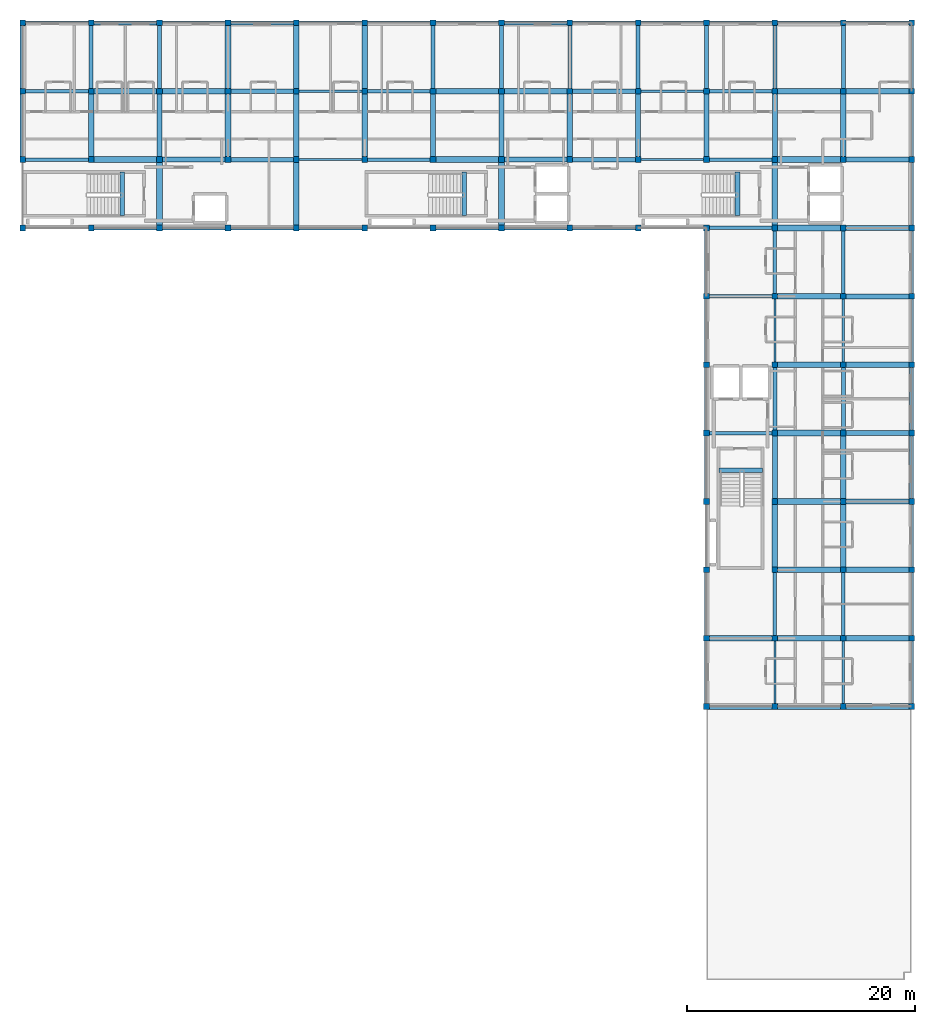
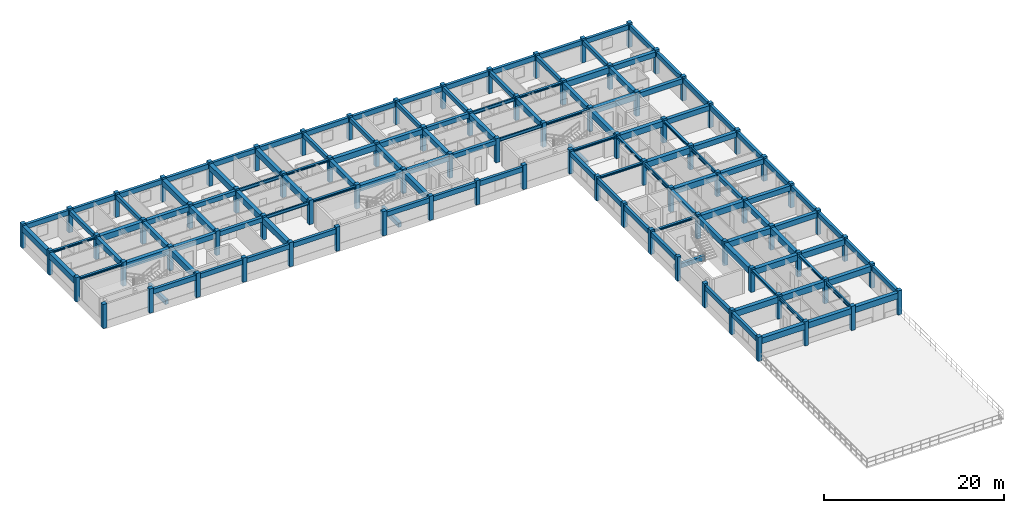
# One storey, part 1 of 14: 131 beams, 84 columns.
"""IFC4 building model written with IfcOpenShell, lengths in metres."""

from ifc_helpers import new_model, si_unit, direction, frame, origin, origin_2d, place, context, subcontext, project, spatial, rectangle, i_section, extrude, material, material_profile, profile_set, type_object, element, save


model = new_model("IFC4")

# Units and contexts
model_context = context("Model", 3, precision=1e-05, world=origin(), true_north=direction((0.0, 1.0)))
body_context = subcontext(model_context, "Body", "Model", "MODEL_VIEW")
ifc_project = project(units=[si_unit("LENGTHUNIT", "METRE"), si_unit("AREAUNIT", "SQUARE_METRE"), si_unit("VOLUMEUNIT", "CUBIC_METRE"), si_unit("PLANEANGLEUNIT", "RADIAN"), si_unit("MASSUNIT", "GRAM", prefix="KILO"), si_unit("THERMODYNAMICTEMPERATUREUNIT", "KELVIN"), si_unit("POWERUNIT", "WATT")], contexts=[model_context])

# Site, building, storey
site_placement = place(None, origin())
site = spatial("IfcSite", under=ifc_project, at=site_placement, CompositionType="ELEMENT")
building_placement = place(site_placement, origin())
building = spatial("IfcBuilding", under=site, at=building_placement, Name="Phaisarnlok Congress Hotel", CompositionType="ELEMENT")
storey_placement = place(building_placement, frame((0.0, 0.0, 44.699951171875)))
storey = spatial("IfcBuildingStorey", under=building, at=storey_placement, Name="L11", CompositionType="ELEMENT", Elevation=44.699951171875)

# Columns
ifc_material_1 = material(Name="Concrete C50/60", Category="concrete")
ifc_material_profile_1 = material_profile(ifc_material_1, rectangle(XDim=0.5, YDim=0.5, at=origin_2d()), Name="RC 500x500")
ifc_profile_set_1 = profile_set([ifc_material_profile_1], Name="Concrete C50/60")
column_type_1 = type_object("IfcColumnType", Name="COL-RC-500", PredefinedType="COLUMN", material=ifc_profile_set_1)
for number, where, z_axis, x_axis, name in (
    (1, (102.0, 108.0, 0.0), (0.0, 0.0, 1.0), (1.0, 0.0, 0.0), "Column C-01 (L11)"),
    (2, (102.0, 114.0, 0.0), (0.0, 0.0, 1.0), (1.0, 0.0, 0.0), "Column C-01 (L11)"),
    (3, (102.0, 120.0, 0.0), (0.0, 0.0, 1.0), (1.0, 0.0, 0.0), "Column C-01 (L11)"),
    (4, (108.0, 108.0, 0.0), (0.0, 0.0, 1.0), (1.0, 0.0, 0.0), "Column C-01 (L11)"),
    (5, (108.0, 114.0, 0.0), (0.0, 0.0, 1.0), (1.0, 0.0, 0.0), "Column C-01 (L11)"),
    (6, (108.0, 120.0, 0.0), (0.0, 0.0, 1.0), (1.0, 0.0, 0.0), "Column C-01 (L11)"),
    (7, (114.0, 108.0, 0.0), (0.0, 0.0, 1.0), (1.0, 0.0, 0.0), "Column C-01 (L11)"),
    (8, (114.0, 114.0, 0.0), (0.0, 0.0, 1.0), (1.0, 0.0, 0.0), "Column C-01 (L11)"),
    (9, (114.0, 120.0, 0.0), (0.0, 0.0, 1.0), (1.0, 0.0, 0.0), "Column C-01 (L11)"),
    (10, (120.0, 108.0, 0.0), (0.0, 0.0, 1.0), (1.0, 0.0, 0.0), "Column C-01 (L11)"),
    (11, (120.0, 114.0, 0.0), (0.0, 0.0, 1.0), (1.0, 0.0, 0.0), "Column C-01 (L11)"),
    (12, (120.0, 120.0, 0.0), (0.0, 0.0, 1.0), (1.0, 0.0, 0.0), "Column C-01 (L11)"),
    (13, (126.0, 108.0, 0.0), (0.0, 0.0, 1.0), (1.0, 0.0, 0.0), "Column C-01 (L11)"),
    (14, (126.0, 114.0, 0.0), (0.0, 0.0, 1.0), (1.0, 0.0, 0.0), "Column C-01 (L11)"),
    (15, (126.0, 120.0, 0.0), (0.0, 0.0, 1.0), (1.0, 0.0, 0.0), "Column C-01 (L11)"),
    (16, (132.0, 108.0, 0.0), (0.0, 0.0, 1.0), (1.0, 0.0, 0.0), "Column C-01 (L11)"),
    (17, (132.0, 114.0, 0.0), (0.0, 0.0, 1.0), (1.0, 0.0, 0.0), "Column C-01 (L11)"),
    (18, (132.0, 120.0, 0.0), (0.0, 0.0, 1.0), (1.0, 0.0, 0.0), "Column C-01 (L11)"),
    (19, (138.0, 108.0, 0.0), (0.0, 0.0, 1.0), (1.0, 0.0, 0.0), "Column C-01 (L11)"),
    (20, (138.0, 114.0, 0.0), (0.0, 0.0, 1.0), (1.0, 0.0, 0.0), "Column C-01 (L11)"),
    (21, (138.0, 120.0, 0.0), (0.0, 0.0, 1.0), (1.0, 0.0, 0.0), "Column C-01 (L11)"),
    (22, (144.0, 108.0, 0.0), (0.0, 0.0, 1.0), (1.0, 0.0, 0.0), "Column C-01 (L11)"),
    (23, (144.0, 114.0, 0.0), (0.0, 0.0, 1.0), (1.0, 0.0, 0.0), "Column C-01 (L11)"),
    (24, (144.0, 120.0, 0.0), (0.0, 0.0, 1.0), (1.0, 0.0, 0.0), "Column C-01 (L11)"),
    (25, (150.0, 108.0, 0.0), (0.0, 0.0, 1.0), (1.0, 0.0, 0.0), "Column C-01 (L11)"),
    (26, (150.0, 114.0, 0.0), (0.0, 0.0, 1.0), (1.0, 0.0, 0.0), "Column C-01 (L11)"),
    (27, (150.0, 120.0, 0.0), (0.0, 0.0, 1.0), (1.0, 0.0, 0.0), "Column C-01 (L11)"),
    (28, (156.0, 108.0, 0.0), (0.0, 0.0, 1.0), (1.0, 0.0, 0.0), "Column C-01 (L11)"),
    (29, (156.0, 114.0, 0.0), (0.0, 0.0, 1.0), (1.0, 0.0, 0.0), "Column C-01 (L11)"),
    (30, (156.0, 120.0, 0.0), (0.0, 0.0, 1.0), (1.0, 0.0, 0.0), "Column C-01 (L11)"),
    (31, (162.0, 66.0, 0.0), (0.0, 0.0, 1.0), (1.0, 0.0, 0.0), "Column C-01 (L11)"),
    (32, (162.0, 72.0, 0.0), (0.0, 0.0, 1.0), (1.0, 0.0, 0.0), "Column C-01 (L11)"),
    (33, (162.0, 78.0, 0.0), (0.0, 0.0, 1.0), (1.0, 0.0, 0.0), "Column C-01 (L11)"),
    (34, (162.0, 84.0, 0.0), (0.0, 0.0, 1.0), (1.0, 0.0, 0.0), "Column C-01 (L11)"),
    (35, (162.0, 90.0, 0.0), (0.0, 0.0, 1.0), (1.0, 0.0, 0.0), "Column C-01 (L11)"),
    (36, (162.0, 96.0, 0.0), (0.0, 0.0, 1.0), (1.0, 0.0, 0.0), "Column C-01 (L11)"),
    (37, (162.0, 102.0, 0.0), (0.0, 0.0, 1.0), (1.0, 0.0, 0.0), "Column C-01 (L11)"),
    (38, (162.0, 108.0, 0.0), (0.0, 0.0, 1.0), (1.0, 0.0, 0.0), "Column C-01 (L11)"),
    (39, (162.0, 114.0, 0.0), (0.0, 0.0, 1.0), (1.0, 0.0, 0.0), "Column C-01 (L11)"),
    (40, (162.0, 120.0, 0.0), (0.0, 0.0, 1.0), (1.0, 0.0, 0.0), "Column C-01 (L11)"),
    (41, (168.0, 66.0, 0.0), (0.0, 0.0, 1.0), (1.0, 0.0, 0.0), "Column C-01 (L11)"),
    (42, (168.0, 72.0, 0.0), (0.0, 0.0, 1.0), (1.0, 0.0, 0.0), "Column C-01 (L11)"),
    (43, (168.0, 78.0, 0.0), (0.0, 0.0, 1.0), (1.0, 0.0, 0.0), "Column C-01 (L11)"),
    (44, (168.0, 84.0, 0.0), (0.0, 0.0, 1.0), (1.0, 0.0, 0.0), "Column C-01 (L11)"),
    (45, (168.0, 90.0, 0.0), (0.0, 0.0, 1.0), (1.0, 0.0, 0.0), "Column C-01 (L11)"),
    (46, (168.0, 96.0, 0.0), (0.0, 0.0, 1.0), (1.0, 0.0, 0.0), "Column C-01 (L11)"),
    (47, (168.0, 102.0, 0.0), (0.0, 0.0, 1.0), (1.0, 0.0, 0.0), "Column C-01 (L11)"),
    (48, (168.0, 108.0, 0.0), (0.0, 0.0, 1.0), (1.0, 0.0, 0.0), "Column C-01 (L11)"),
    (49, (168.0, 114.0, 0.0), (0.0, 0.0, 1.0), (1.0, 0.0, 0.0), "Column C-01 (L11)"),
    (50, (168.0, 120.0, 0.0), (0.0, 0.0, 1.0), (1.0, 0.0, 0.0), "Column C-01 (L11)"),
    (51, (174.0, 66.0, 0.0), (0.0, 0.0, 1.0), (1.0, 0.0, 0.0), "Column C-01 (L11)"),
    (52, (174.0, 72.0, 0.0), (0.0, 0.0, 1.0), (1.0, 0.0, 0.0), "Column C-01 (L11)"),
    (53, (174.0, 78.0, 0.0), (0.0, 0.0, 1.0), (1.0, 0.0, 0.0), "Column C-01 (L11)"),
    (54, (174.0, 84.0, 0.0), (0.0, 0.0, 1.0), (1.0, 0.0, 0.0), "Column C-01 (L11)"),
    (55, (174.0, 90.0, 0.0), (0.0, 0.0, 1.0), (1.0, 0.0, 0.0), "Column C-01 (L11)"),
    (56, (174.0, 96.0, 0.0), (0.0, 0.0, 1.0), (1.0, 0.0, 0.0), "Column C-01 (L11)"),
    (57, (174.0, 102.0, 0.0), (0.0, 0.0, 1.0), (1.0, 0.0, 0.0), "Column C-01 (L11)"),
    (58, (174.0, 108.0, 0.0), (0.0, 0.0, 1.0), (1.0, 0.0, 0.0), "Column C-01 (L11)"),
    (59, (174.0, 114.0, 0.0), (0.0, 0.0, 1.0), (1.0, 0.0, 0.0), "Column C-01 (L11)"),
    (60, (174.0, 120.0, 0.0), (0.0, 0.0, 1.0), (1.0, 0.0, 0.0), "Column C-01 (L11)"),
):
    element("IfcColumn", number, at=place(storey_placement, frame(where, z_axis=z_axis, x_axis=x_axis)), inside=storey, type_object=column_type_1, Name=name, PredefinedType="COLUMN", context=body_context, shape_type="SweptSolid", body=[
        extrude(rectangle(XDim=0.5, YDim=0.5, at=origin_2d()), origin(), (0.0, 0.0, 1.0), 3.300048828125),
    ])
ifc_material_profile_2 = material_profile(ifc_material_1, rectangle(XDim=0.5, YDim=0.5, at=origin_2d()), Name="RC 500x500")
ifc_profile_set_2 = profile_set([ifc_material_profile_2], Name="Concrete C50/60")
column_type_2 = type_object("IfcColumnType", Name="COL-RC-500-EXT", PredefinedType="COLUMN", material=ifc_profile_set_2)
for number, where, z_axis, x_axis, name in (
    (61, (102.0, 126.0, 0.0), (0.0, 0.0, 1.0), (1.0, 0.0, 0.0), "Column C-01E (L11)"),
    (62, (108.0, 126.0, 0.0), (0.0, 0.0, 1.0), (1.0, 0.0, 0.0), "Column C-01E (L11)"),
    (63, (114.0, 126.0, 0.0), (0.0, 0.0, 1.0), (1.0, 0.0, 0.0), "Column C-01E (L11)"),
    (64, (120.0, 126.0, 0.0), (0.0, 0.0, 1.0), (1.0, 0.0, 0.0), "Column C-01E (L11)"),
    (65, (126.0, 126.0, 0.0), (0.0, 0.0, 1.0), (1.0, 0.0, 0.0), "Column C-01E (L11)"),
    (66, (132.0, 126.0, 0.0), (0.0, 0.0, 1.0), (1.0, 0.0, 0.0), "Column C-01E (L11)"),
    (67, (138.0, 126.0, 0.0), (0.0, 0.0, 1.0), (1.0, 0.0, 0.0), "Column C-01E (L11)"),
    (68, (144.0, 126.0, 0.0), (0.0, 0.0, 1.0), (1.0, 0.0, 0.0), "Column C-01E (L11)"),
    (69, (150.0, 126.0, 0.0), (0.0, 0.0, 1.0), (1.0, 0.0, 0.0), "Column C-01E (L11)"),
    (70, (156.0, 126.0, 0.0), (0.0, 0.0, 1.0), (1.0, 0.0, 0.0), "Column C-01E (L11)"),
    (71, (162.0, 126.0, 0.0), (0.0, 0.0, 1.0), (1.0, 0.0, 0.0), "Column C-01E (L11)"),
    (72, (168.0, 126.0, 0.0), (0.0, 0.0, 1.0), (1.0, 0.0, 0.0), "Column C-01E (L11)"),
    (73, (174.0, 126.0, 0.0), (0.0, 0.0, 1.0), (1.0, 0.0, 0.0), "Column C-01E (L11)"),
    (74, (180.0, 66.0, 0.0), (0.0, 0.0, 1.0), (1.0, 0.0, 0.0), "Column C-01E (L11)"),
    (75, (180.0, 72.0, 0.0), (0.0, 0.0, 1.0), (1.0, 0.0, 0.0), "Column C-01E (L11)"),
    (76, (180.0, 78.0, 0.0), (0.0, 0.0, 1.0), (1.0, 0.0, 0.0), "Column C-01E (L11)"),
    (77, (180.0, 84.0, 0.0), (0.0, 0.0, 1.0), (1.0, 0.0, 0.0), "Column C-01E (L11)"),
    (78, (180.0, 90.0, 0.0), (0.0, 0.0, 1.0), (1.0, 0.0, 0.0), "Column C-01E (L11)"),
    (79, (180.0, 96.0, 0.0), (0.0, 0.0, 1.0), (1.0, 0.0, 0.0), "Column C-01E (L11)"),
    (80, (180.0, 102.0, 0.0), (0.0, 0.0, 1.0), (1.0, 0.0, 0.0), "Column C-01E (L11)"),
    (81, (180.0, 108.0, 0.0), (0.0, 0.0, 1.0), (1.0, 0.0, 0.0), "Column C-01E (L11)"),
    (82, (180.0, 114.0, 0.0), (0.0, 0.0, 1.0), (1.0, 0.0, 0.0), "Column C-01E (L11)"),
    (83, (180.0, 120.0, 0.0), (0.0, 0.0, 1.0), (1.0, 0.0, 0.0), "Column C-01E (L11)"),
    (84, (180.0, 126.0, 0.0), (0.0, 0.0, 1.0), (1.0, 0.0, 0.0), "Column C-01E (L11)"),
):
    element("IfcColumn", number, at=place(storey_placement, frame(where, z_axis=z_axis, x_axis=x_axis)), inside=storey, type_object=column_type_2, Name=name, PredefinedType="COLUMN", context=body_context, shape_type="SweptSolid", body=[
        extrude(rectangle(XDim=0.5, YDim=0.5, at=origin_2d()), origin(), (0.0, 0.0, 1.0), 3.300048828125),
    ])

# Beams
ifc_material_2 = material(Name="Concrete C40/50", Category="concrete")
ifc_material_profile_3 = material_profile(ifc_material_2, rectangle(XDim=0.35009765625, YDim=0.550048828125, at=origin_2d()), Name="RC 350x550")
ifc_profile_set_3 = profile_set([ifc_material_profile_3], Name="Concrete C40/50")
beam_type_1 = type_object("IfcBeamType", Name="BM-RC-350x550", PredefinedType="BEAM", material=ifc_profile_set_3)
for number, where, z_axis, x_axis, name in (
    (85, (108.0, 120.2451171875, 2.775146484375), (0.0, 1.0, 0.0), (-1.0, 0.0, 0.0), "Beam B-01"),
    (86, (114.0, 120.2451171875, 2.775146484375), (0.0, 1.0, 0.0), (-1.0, 0.0, 0.0), "Beam B-01"),
    (87, (138.0, 120.2451171875, 2.775146484375), (0.0, 1.0, 0.0), (-1.0, 0.0, 0.0), "Beam B-01"),
    (88, (144.0, 120.2451171875, 2.775146484375), (0.0, 1.0, 0.0), (-1.0, 0.0, 0.0), "Beam B-01"),
    (89, (150.0, 120.2451171875, 2.775146484375), (0.0, 1.0, 0.0), (-1.0, 0.0, 0.0), "Beam B-01"),
    (90, (156.0, 120.2451171875, 2.775146484375), (0.0, 1.0, 0.0), (-1.0, 0.0, 0.0), "Beam B-01"),
    (91, (162.0, 120.2451171875, 2.775146484375), (0.0, 1.0, 0.0), (-1.0, 0.0, 0.0), "Beam B-01"),
    (92, (168.0, 90.2451171875, 2.775146484375), (0.0, 1.0, 0.0), (-1.0, 0.0, 0.0), "Beam B-01"),
    (93, (168.0, 120.2451171875, 2.775146484375), (0.0, 1.0, 0.0), (-1.0, 0.0, 0.0), "Beam B-01"),
    (94, (174.0, 90.2451171875, 2.775146484375), (0.0, 1.0, 0.0), (-1.0, 0.0, 0.0), "Beam B-01"),
    (95, (174.0, 120.2451171875, 2.775146484375), (0.0, 1.0, 0.0), (-1.0, 0.0, 0.0), "Beam B-01"),
):
    element("IfcBeam", number, at=place(storey_placement, frame(where, z_axis=z_axis, x_axis=x_axis)), inside=storey, type_object=beam_type_1, Name=name, PredefinedType="BEAM", context=body_context, shape_type="SweptSolid", body=[
        extrude(rectangle(XDim=0.35009765625, YDim=0.550048828125, at=origin_2d()), origin(), (0.0, 0.0, 1.0), 5.509765625),
    ])
ifc_material_profile_4 = material_profile(ifc_material_2, rectangle(XDim=0.39990234375, YDim=0.60009765625, at=origin_2d()), Name="RC 400x600")
ifc_profile_set_4 = profile_set([ifc_material_profile_4], Name="Concrete C40/50")
beam_type_2 = type_object("IfcBeamType", Name="BM-RC-400x600", PredefinedType="BEAM", material=ifc_profile_set_4)
for number, where, z_axis, x_axis, name in (
    (96, (120.2451171875, 114.0, 2.75), (1.0, 0.0, 0.0), (0.0, 1.0, 0.0), "Beam B-02"),
    (97, (120.2451171875, 120.0, 2.75), (1.0, 0.0, 0.0), (0.0, 1.0, 0.0), "Beam B-02"),
    (98, (150.2451171875, 114.0, 2.75), (1.0, 0.0, 0.0), (0.0, 1.0, 0.0), "Beam B-02"),
    (99, (150.2451171875, 120.0, 2.75), (1.0, 0.0, 0.0), (0.0, 1.0, 0.0), "Beam B-02"),
):
    element("IfcBeam", number, at=place(storey_placement, frame(where, z_axis=z_axis, x_axis=x_axis)), inside=storey, type_object=beam_type_2, Name=name, PredefinedType="BEAM", context=body_context, shape_type="SweptSolid", body=[
        extrude(rectangle(XDim=0.39990234375, YDim=0.60009765625, at=origin_2d()), origin(), (0.0, 0.0, 1.0), 5.509765625),
    ])
for number, where, z_axis, x_axis, name in (
    (100, (164.719970703125, 109.080078125, -0.300048828125), (0.0, 1.0, 0.0), (-1.0, 0.0, 0.0), "Stair landing header beam B-02 (CORE-1 L11)"),
    (101, (140.719970703125, 109.080078125, -0.300048828125), (0.0, 1.0, 0.0), (-1.0, 0.0, 0.0), "Stair landing header beam B-02 (CORE-2 L11)"),
    (102, (163.080078125, 86.719970703125, -0.300048828125), (1.0, 0.0, 0.0), (0.0, 1.0, 0.0), "Stair landing header beam B-02 (CORE-3 L11)"),
    (103, (110.719970703125, 109.080078125, -0.300048828125), (0.0, 1.0, 0.0), (-1.0, 0.0, 0.0), "Stair landing header beam B-02 (CORE-4 L11)"),
):
    element("IfcBeam", number, at=place(storey_placement, frame(where, z_axis=z_axis, x_axis=x_axis)), inside=storey, type_object=beam_type_2, Name=name, PredefinedType="BEAM", context=body_context, shape_type="SweptSolid", body=[
        extrude(rectangle(XDim=0.39990234375, YDim=0.60009765625, at=origin_2d()), origin(), (0.0, 0.0, 1.0), 3.83984375),
    ])
ifc_material_profile_5 = material_profile(ifc_material_2, rectangle(XDim=0.449951171875, YDim=0.699951171875, at=origin_2d()), Name="RC 450x700")
ifc_profile_set_5 = profile_set([ifc_material_profile_5], Name="Concrete C40/50")
beam_type_3 = type_object("IfcBeamType", Name="BM-RC-450x700", PredefinedType="BEAM", material=ifc_profile_set_5)
for number, where, z_axis, x_axis, name in (
    (104, (108.0, 114.2451171875, 2.699951171875), (0.0, 1.0, 0.0), (-1.0, 0.0, 0.0), "Beam B-03"),
    (105, (114.2451171875, 114.0, 2.699951171875), (1.0, 0.0, 0.0), (0.0, 1.0, 0.0), "Beam B-03"),
    (106, (114.0, 114.2451171875, 2.699951171875), (0.0, 1.0, 0.0), (-1.0, 0.0, 0.0), "Beam B-03"),
    (107, (114.2451171875, 120.0, 2.699951171875), (1.0, 0.0, 0.0), (0.0, 1.0, 0.0), "Beam B-03"),
    (108, (138.0, 114.2451171875, 2.699951171875), (0.0, 1.0, 0.0), (-1.0, 0.0, 0.0), "Beam B-03"),
    (109, (144.2451171875, 114.0, 2.699951171875), (1.0, 0.0, 0.0), (0.0, 1.0, 0.0), "Beam B-03"),
    (110, (144.0, 114.2451171875, 2.699951171875), (0.0, 1.0, 0.0), (-1.0, 0.0, 0.0), "Beam B-03"),
    (111, (144.2451171875, 120.0, 2.699951171875), (1.0, 0.0, 0.0), (0.0, 1.0, 0.0), "Beam B-03"),
    (112, (150.0, 114.2451171875, 2.699951171875), (0.0, 1.0, 0.0), (-1.0, 0.0, 0.0), "Beam B-03"),
    (113, (156.0, 114.2451171875, 2.699951171875), (0.0, 1.0, 0.0), (-1.0, 0.0, 0.0), "Beam B-03"),
    (114, (162.0, 114.2451171875, 2.699951171875), (0.0, 1.0, 0.0), (-1.0, 0.0, 0.0), "Beam B-03"),
    (115, (168.0, 84.2451171875, 2.699951171875), (0.0, 1.0, 0.0), (-1.0, 0.0, 0.0), "Beam B-03"),
    (116, (168.0, 114.2451171875, 2.699951171875), (0.0, 1.0, 0.0), (-1.0, 0.0, 0.0), "Beam B-03"),
    (117, (174.2451171875, 84.0, 2.699951171875), (1.0, 0.0, 0.0), (0.0, 1.0, 0.0), "Beam B-03"),
    (118, (174.0, 84.2451171875, 2.699951171875), (0.0, 1.0, 0.0), (-1.0, 0.0, 0.0), "Beam B-03"),
    (119, (174.2451171875, 90.0, 2.699951171875), (1.0, 0.0, 0.0), (0.0, 1.0, 0.0), "Beam B-03"),
    (120, (174.2451171875, 96.0, 2.699951171875), (1.0, 0.0, 0.0), (0.0, 1.0, 0.0), "Beam B-03"),
    (121, (174.2451171875, 102.0, 2.699951171875), (1.0, 0.0, 0.0), (0.0, 1.0, 0.0), "Beam B-03"),
    (122, (174.2451171875, 108.0, 2.699951171875), (1.0, 0.0, 0.0), (0.0, 1.0, 0.0), "Beam B-03"),
    (123, (174.2451171875, 114.0, 2.699951171875), (1.0, 0.0, 0.0), (0.0, 1.0, 0.0), "Beam B-03"),
    (124, (174.0, 114.2451171875, 2.699951171875), (0.0, 1.0, 0.0), (-1.0, 0.0, 0.0), "Beam B-03"),
    (125, (174.2451171875, 120.0, 2.699951171875), (1.0, 0.0, 0.0), (0.0, 1.0, 0.0), "Beam B-03"),
):
    element("IfcBeam", number, at=place(storey_placement, frame(where, z_axis=z_axis, x_axis=x_axis)), inside=storey, type_object=beam_type_3, Name=name, PredefinedType="BEAM", context=body_context, shape_type="SweptSolid", body=[
        extrude(rectangle(XDim=0.449951171875, YDim=0.699951171875, at=origin_2d()), origin(), (0.0, 0.0, 1.0), 5.509765625),
    ])
ifc_material_profile_6 = material_profile(ifc_material_2, rectangle(XDim=0.5, YDim=0.800048828125, at=origin_2d()), Name="RC 500x800")
ifc_profile_set_6 = profile_set([ifc_material_profile_6], Name="Concrete C40/50")
beam_type_4 = type_object("IfcBeamType", Name="BM-RC-500x800", PredefinedType="BEAM", material=ifc_profile_set_6)
for number, where, z_axis, x_axis, name in (
    (126, (108.2451171875, 114.0, 2.650146484375), (1.0, 0.0, 0.0), (0.0, 1.0, 0.0), "Beam B-04"),
    (127, (108.2451171875, 120.0, 2.650146484375), (1.0, 0.0, 0.0), (0.0, 1.0, 0.0), "Beam B-04"),
    (128, (114.0, 108.2451171875, 2.650146484375), (0.0, 1.0, 0.0), (-1.0, 0.0, 0.0), "Beam B-04"),
    (129, (120.0, 114.2451171875, 2.650146484375), (0.0, 1.0, 0.0), (-1.0, 0.0, 0.0), "Beam B-04"),
    (130, (120.0, 120.2451171875, 2.650146484375), (0.0, 1.0, 0.0), (-1.0, 0.0, 0.0), "Beam B-04"),
    (131, (126.0, 108.2451171875, 2.650146484375), (0.0, 1.0, 0.0), (-1.0, 0.0, 0.0), "Beam B-04"),
    (132, (126.0, 114.2451171875, 2.650146484375), (0.0, 1.0, 0.0), (-1.0, 0.0, 0.0), "Beam B-04"),
    (133, (126.0, 120.2451171875, 2.650146484375), (0.0, 1.0, 0.0), (-1.0, 0.0, 0.0), "Beam B-04"),
    (134, (132.0, 114.2451171875, 2.650146484375), (0.0, 1.0, 0.0), (-1.0, 0.0, 0.0), "Beam B-04"),
    (135, (132.0, 120.2451171875, 2.650146484375), (0.0, 1.0, 0.0), (-1.0, 0.0, 0.0), "Beam B-04"),
    (136, (138.2451171875, 114.0, 2.650146484375), (1.0, 0.0, 0.0), (0.0, 1.0, 0.0), "Beam B-04"),
    (137, (138.2451171875, 120.0, 2.650146484375), (1.0, 0.0, 0.0), (0.0, 1.0, 0.0), "Beam B-04"),
    (138, (144.0, 108.2451171875, 2.650146484375), (0.0, 1.0, 0.0), (-1.0, 0.0, 0.0), "Beam B-04"),
    (139, (162.2451171875, 72.0, 2.650146484375), (1.0, 0.0, 0.0), (0.0, 1.0, 0.0), "Beam B-04"),
    (140, (168.2451171875, 72.0, 2.650146484375), (1.0, 0.0, 0.0), (0.0, 1.0, 0.0), "Beam B-04"),
    (141, (168.2451171875, 78.0, 2.650146484375), (1.0, 0.0, 0.0), (0.0, 1.0, 0.0), "Beam B-04"),
    (142, (168.0, 78.2451171875, 2.650146484375), (0.0, 1.0, 0.0), (-1.0, 0.0, 0.0), "Beam B-04"),
    (143, (168.2451171875, 84.0, 2.650146484375), (1.0, 0.0, 0.0), (0.0, 1.0, 0.0), "Beam B-04"),
    (144, (168.2451171875, 90.0, 2.650146484375), (1.0, 0.0, 0.0), (0.0, 1.0, 0.0), "Beam B-04"),
    (145, (168.2451171875, 96.0, 2.650146484375), (1.0, 0.0, 0.0), (0.0, 1.0, 0.0), "Beam B-04"),
    (146, (168.2451171875, 102.0, 2.650146484375), (1.0, 0.0, 0.0), (0.0, 1.0, 0.0), "Beam B-04"),
    (147, (168.2451171875, 108.0, 2.650146484375), (1.0, 0.0, 0.0), (0.0, 1.0, 0.0), "Beam B-04"),
    (148, (168.0, 108.2451171875, 2.650146484375), (0.0, 1.0, 0.0), (-1.0, 0.0, 0.0), "Beam B-04"),
    (149, (168.2451171875, 114.0, 2.650146484375), (1.0, 0.0, 0.0), (0.0, 1.0, 0.0), "Beam B-04"),
    (150, (168.2451171875, 120.0, 2.650146484375), (1.0, 0.0, 0.0), (0.0, 1.0, 0.0), "Beam B-04"),
    (151, (174.2451171875, 72.0, 2.650146484375), (1.0, 0.0, 0.0), (0.0, 1.0, 0.0), "Beam B-04"),
    (152, (174.2451171875, 78.0, 2.650146484375), (1.0, 0.0, 0.0), (0.0, 1.0, 0.0), "Beam B-04"),
    (153, (174.0, 78.2451171875, 2.650146484375), (0.0, 1.0, 0.0), (-1.0, 0.0, 0.0), "Beam B-04"),
):
    element("IfcBeam", number, at=place(storey_placement, frame(where, z_axis=z_axis, x_axis=x_axis)), inside=storey, type_object=beam_type_4, Name=name, PredefinedType="BEAM", context=body_context, shape_type="SweptSolid", body=[
        extrude(rectangle(XDim=0.5, YDim=0.800048828125, at=origin_2d()), origin(), (0.0, 0.0, 1.0), 5.509765625),
    ])
ifc_material_3 = material(Name="Steel S355", Category="steel")
ifc_material_profile_7 = material_profile(ifc_material_3, i_section(OverallWidth=0.300048828125, OverallDepth=0.2900390625, WebThickness=0.008544921875, FlangeThickness=0.013916015625, FilletRadius=0.027099609375, at=origin_2d()), Name="HEA 300")
ifc_profile_set_7 = profile_set([ifc_material_profile_7], Name="Steel S355")
beam_type_5 = type_object("IfcBeamType", Name="BM-STL-HEA300", PredefinedType="BEAM", material=ifc_profile_set_7)
for number, where, z_axis, x_axis, name in (
    (154, (102.2451171875, 114.0, 2.905029296875), (1.0, 0.0, 0.0), (0.0, 1.0, 0.0), "Beam SB-05"),
    (155, (102.2451171875, 120.0, 2.905029296875), (1.0, 0.0, 0.0), (0.0, 1.0, 0.0), "Beam SB-05"),
    (156, (132.2451171875, 114.0, 2.905029296875), (1.0, 0.0, 0.0), (0.0, 1.0, 0.0), "Beam SB-05"),
    (157, (132.2451171875, 120.0, 2.905029296875), (1.0, 0.0, 0.0), (0.0, 1.0, 0.0), "Beam SB-05"),
    (158, (162.2451171875, 90.0, 2.905029296875), (1.0, 0.0, 0.0), (0.0, 1.0, 0.0), "Beam SB-05"),
    (159, (162.2451171875, 102.0, 2.905029296875), (1.0, 0.0, 0.0), (0.0, 1.0, 0.0), "Beam SB-05"),
    (160, (162.2451171875, 108.0, 2.905029296875), (1.0, 0.0, 0.0), (0.0, 1.0, 0.0), "Beam SB-05"),
    (161, (162.2451171875, 114.0, 2.905029296875), (1.0, 0.0, 0.0), (0.0, 1.0, 0.0), "Beam SB-05"),
    (162, (162.2451171875, 120.0, 2.905029296875), (1.0, 0.0, 0.0), (0.0, 1.0, 0.0), "Beam SB-05"),
):
    element("IfcBeam", number, at=place(storey_placement, frame(where, z_axis=z_axis, x_axis=x_axis)), inside=storey, type_object=beam_type_5, Name=name, PredefinedType="BEAM", context=body_context, shape_type="SweptSolid", body=[
        extrude(i_section(OverallWidth=0.300048828125, OverallDepth=0.2900390625, WebThickness=0.008544921875, FlangeThickness=0.013916015625, FilletRadius=0.027099609375, at=origin_2d()), origin(), (0.0, 0.0, 1.0), 5.509765625),
    ])
ifc_material_profile_8 = material_profile(ifc_material_3, i_section(OverallWidth=0.300048828125, OverallDepth=0.340087890625, WebThickness=0.011962890625, FlangeThickness=0.021484375, FilletRadius=0.027099609375, at=origin_2d()), Name="HEB 340")
ifc_profile_set_8 = profile_set([ifc_material_profile_8], Name="Steel S355")
beam_type_6 = type_object("IfcBeamType", Name="BM-STL-HEB340", PredefinedType="BEAM", material=ifc_profile_set_8)
for number, where, z_axis, x_axis, name in (
    (163, (168.0, 72.2451171875, 2.880126953125), (0.0, 1.0, 0.0), (-1.0, 0.0, 0.0), "Beam SB-07"),
    (164, (168.0, 102.2451171875, 2.880126953125), (0.0, 1.0, 0.0), (-1.0, 0.0, 0.0), "Beam SB-07"),
    (165, (174.0, 72.2451171875, 2.880126953125), (0.0, 1.0, 0.0), (-1.0, 0.0, 0.0), "Beam SB-07"),
    (166, (174.0, 102.2451171875, 2.880126953125), (0.0, 1.0, 0.0), (-1.0, 0.0, 0.0), "Beam SB-07"),
):
    element("IfcBeam", number, at=place(storey_placement, frame(where, z_axis=z_axis, x_axis=x_axis)), inside=storey, type_object=beam_type_6, Name=name, PredefinedType="BEAM", context=body_context, shape_type="SweptSolid", body=[
        extrude(i_section(OverallWidth=0.300048828125, OverallDepth=0.340087890625, WebThickness=0.011962890625, FlangeThickness=0.021484375, FilletRadius=0.027099609375, at=origin_2d()), origin(), (0.0, 0.0, 1.0), 5.509765625),
    ])
ifc_material_profile_9 = material_profile(ifc_material_3, i_section(OverallWidth=0.18994140625, OverallDepth=0.449951171875, WebThickness=0.009521484375, FlangeThickness=0.0146484375, FilletRadius=0.02099609375, at=origin_2d()), Name="IPE 450")
ifc_profile_set_9 = profile_set([ifc_material_profile_9], Name="Steel S355")
beam_type_7 = type_object("IfcBeamType", Name="BM-STL-IPE450", PredefinedType="BEAM", material=ifc_profile_set_9)
for number, where, z_axis, x_axis, name in (
    (167, (126.2451171875, 114.0, 2.824951171875), (1.0, 0.0, 0.0), (0.0, 1.0, 0.0), "Beam SB-01"),
    (168, (126.2451171875, 120.0, 2.824951171875), (1.0, 0.0, 0.0), (0.0, 1.0, 0.0), "Beam SB-01"),
    (169, (156.2451171875, 114.0, 2.824951171875), (1.0, 0.0, 0.0), (0.0, 1.0, 0.0), "Beam SB-01"),
    (170, (156.2451171875, 120.0, 2.824951171875), (1.0, 0.0, 0.0), (0.0, 1.0, 0.0), "Beam SB-01"),
):
    element("IfcBeam", number, at=place(storey_placement, frame(where, z_axis=z_axis, x_axis=x_axis)), inside=storey, type_object=beam_type_7, Name=name, PredefinedType="BEAM", context=body_context, shape_type="SweptSolid", body=[
        extrude(i_section(OverallWidth=0.18994140625, OverallDepth=0.449951171875, WebThickness=0.009521484375, FlangeThickness=0.0146484375, FilletRadius=0.02099609375, at=origin_2d()), origin(), (0.0, 0.0, 1.0), 5.509765625),
    ])
ifc_material_profile_10 = material_profile(ifc_material_3, i_section(OverallWidth=0.199951171875, OverallDepth=0.5, WebThickness=0.01025390625, FlangeThickness=0.01611328125, FilletRadius=0.02099609375, at=origin_2d()), Name="IPE 500")
ifc_profile_set_10 = profile_set([ifc_material_profile_10], Name="Steel S355")
beam_type_8 = type_object("IfcBeamType", Name="BM-STL-IPE500", PredefinedType="BEAM", material=ifc_profile_set_10)
for number, where, z_axis, x_axis, name in (
    (171, (168.0, 66.2451171875, 2.800048828125), (0.0, 1.0, 0.0), (-1.0, 0.0, 0.0), "Beam SB-02"),
    (172, (168.0, 96.2451171875, 2.800048828125), (0.0, 1.0, 0.0), (-1.0, 0.0, 0.0), "Beam SB-02"),
    (173, (174.0, 66.2451171875, 2.800048828125), (0.0, 1.0, 0.0), (-1.0, 0.0, 0.0), "Beam SB-02"),
    (174, (174.0, 96.2451171875, 2.800048828125), (0.0, 1.0, 0.0), (-1.0, 0.0, 0.0), "Beam SB-02"),
):
    element("IfcBeam", number, at=place(storey_placement, frame(where, z_axis=z_axis, x_axis=x_axis)), inside=storey, type_object=beam_type_8, Name=name, PredefinedType="BEAM", context=body_context, shape_type="SweptSolid", body=[
        extrude(i_section(OverallWidth=0.199951171875, OverallDepth=0.5, WebThickness=0.01025390625, FlangeThickness=0.01611328125, FilletRadius=0.02099609375, at=origin_2d()), origin(), (0.0, 0.0, 1.0), 5.509765625),
    ])
ifc_material_profile_11 = material_profile(ifc_material_2, rectangle(XDim=0.35009765625, YDim=0.64990234375, at=origin_2d()), Name="RC 350x650")
ifc_profile_set_11 = profile_set([ifc_material_profile_11], Name="Concrete C40/50")
beam_type_9 = type_object("IfcBeamType", Name="SP-RC-350x650", PredefinedType="SPANDREL", material=ifc_profile_set_11)
for number, where, z_axis, x_axis, name in (
    (175, (102.2451171875, 126.0, 2.72509765625), (1.0, 0.0, 0.0), (0.0, 1.0, 0.0), "Beam SP-01"),
    (176, (108.2451171875, 108.0, 2.72509765625), (1.0, 0.0, 0.0), (0.0, 1.0, 0.0), "Beam SP-01"),
    (177, (108.2451171875, 126.0, 2.72509765625), (1.0, 0.0, 0.0), (0.0, 1.0, 0.0), "Beam SP-01"),
    (178, (114.2451171875, 108.0, 2.72509765625), (1.0, 0.0, 0.0), (0.0, 1.0, 0.0), "Beam SP-01"),
    (179, (114.2451171875, 126.0, 2.72509765625), (1.0, 0.0, 0.0), (0.0, 1.0, 0.0), "Beam SP-01"),
    (180, (120.2451171875, 108.0, 2.72509765625), (1.0, 0.0, 0.0), (0.0, 1.0, 0.0), "Beam SP-01"),
    (181, (120.2451171875, 126.0, 2.72509765625), (1.0, 0.0, 0.0), (0.0, 1.0, 0.0), "Beam SP-01"),
    (182, (126.2451171875, 108.0, 2.72509765625), (1.0, 0.0, 0.0), (0.0, 1.0, 0.0), "Beam SP-01"),
    (183, (126.2451171875, 126.0, 2.72509765625), (1.0, 0.0, 0.0), (0.0, 1.0, 0.0), "Beam SP-01"),
    (184, (132.2451171875, 126.0, 2.72509765625), (1.0, 0.0, 0.0), (0.0, 1.0, 0.0), "Beam SP-01"),
    (185, (138.2451171875, 108.0, 2.72509765625), (1.0, 0.0, 0.0), (0.0, 1.0, 0.0), "Beam SP-01"),
    (186, (138.2451171875, 126.0, 2.72509765625), (1.0, 0.0, 0.0), (0.0, 1.0, 0.0), "Beam SP-01"),
    (187, (144.2451171875, 108.0, 2.72509765625), (1.0, 0.0, 0.0), (0.0, 1.0, 0.0), "Beam SP-01"),
    (188, (144.2451171875, 126.0, 2.72509765625), (1.0, 0.0, 0.0), (0.0, 1.0, 0.0), "Beam SP-01"),
    (189, (150.2451171875, 108.0, 2.72509765625), (1.0, 0.0, 0.0), (0.0, 1.0, 0.0), "Beam SP-01"),
    (190, (150.2451171875, 126.0, 2.72509765625), (1.0, 0.0, 0.0), (0.0, 1.0, 0.0), "Beam SP-01"),
    (191, (156.2451171875, 126.0, 2.72509765625), (1.0, 0.0, 0.0), (0.0, 1.0, 0.0), "Beam SP-01"),
    (192, (162.0, 66.2451171875, 2.72509765625), (0.0, 1.0, 0.0), (-1.0, 0.0, 0.0), "Beam SP-01"),
    (193, (162.0, 72.2451171875, 2.72509765625), (0.0, 1.0, 0.0), (-1.0, 0.0, 0.0), "Beam SP-01"),
    (194, (162.0, 84.2451171875, 2.72509765625), (0.0, 1.0, 0.0), (-1.0, 0.0, 0.0), "Beam SP-01"),
    (195, (162.0, 90.2451171875, 2.72509765625), (0.0, 1.0, 0.0), (-1.0, 0.0, 0.0), "Beam SP-01"),
    (196, (162.0, 96.2451171875, 2.72509765625), (0.0, 1.0, 0.0), (-1.0, 0.0, 0.0), "Beam SP-01"),
    (197, (162.0, 102.2451171875, 2.72509765625), (0.0, 1.0, 0.0), (-1.0, 0.0, 0.0), "Beam SP-01"),
    (198, (162.2451171875, 126.0, 2.72509765625), (1.0, 0.0, 0.0), (0.0, 1.0, 0.0), "Beam SP-01"),
    (199, (168.2451171875, 126.0, 2.72509765625), (1.0, 0.0, 0.0), (0.0, 1.0, 0.0), "Beam SP-01"),
    (200, (174.2451171875, 126.0, 2.72509765625), (1.0, 0.0, 0.0), (0.0, 1.0, 0.0), "Beam SP-01"),
    (201, (180.0, 66.2451171875, 2.72509765625), (0.0, 1.0, 0.0), (-1.0, 0.0, 0.0), "Beam SP-01"),
    (202, (180.0, 72.2451171875, 2.72509765625), (0.0, 1.0, 0.0), (-1.0, 0.0, 0.0), "Beam SP-01"),
    (203, (180.0, 78.2451171875, 2.72509765625), (0.0, 1.0, 0.0), (-1.0, 0.0, 0.0), "Beam SP-01"),
    (204, (180.0, 84.2451171875, 2.72509765625), (0.0, 1.0, 0.0), (-1.0, 0.0, 0.0), "Beam SP-01"),
    (205, (180.0, 90.2451171875, 2.72509765625), (0.0, 1.0, 0.0), (-1.0, 0.0, 0.0), "Beam SP-01"),
    (206, (180.0, 96.2451171875, 2.72509765625), (0.0, 1.0, 0.0), (-1.0, 0.0, 0.0), "Beam SP-01"),
    (207, (180.0, 102.2451171875, 2.72509765625), (0.0, 1.0, 0.0), (-1.0, 0.0, 0.0), "Beam SP-01"),
    (208, (180.0, 108.2451171875, 2.72509765625), (0.0, 1.0, 0.0), (-1.0, 0.0, 0.0), "Beam SP-01"),
    (209, (180.0, 114.2451171875, 2.72509765625), (0.0, 1.0, 0.0), (-1.0, 0.0, 0.0), "Beam SP-01"),
    (210, (180.0, 120.2451171875, 2.72509765625), (0.0, 1.0, 0.0), (-1.0, 0.0, 0.0), "Beam SP-01"),
):
    element("IfcBeam", number, at=place(storey_placement, frame(where, z_axis=z_axis, x_axis=x_axis)), inside=storey, type_object=beam_type_9, Name=name, PredefinedType="SPANDREL", context=body_context, shape_type="SweptSolid", body=[
        extrude(rectangle(XDim=0.35009765625, YDim=0.64990234375, at=origin_2d()), origin(), (0.0, 0.0, 1.0), 5.509765625),
    ])
ifc_material_profile_12 = material_profile(ifc_material_2, rectangle(XDim=0.5, YDim=0.800048828125, at=origin_2d()), Name="RC 500x800")
ifc_profile_set_12 = profile_set([ifc_material_profile_12], Name="Concrete C40/50")
beam_type_10 = type_object("IfcBeamType", Name="SP-RC-500x800", PredefinedType="SPANDREL", material=ifc_profile_set_12)
for number, where, z_axis, x_axis, name in (
    (211, (102.0, 114.2451171875, 2.650146484375), (0.0, 1.0, 0.0), (-1.0, 0.0, 0.0), "Beam SP-04"),
    (212, (102.0, 120.2451171875, 2.650146484375), (0.0, 1.0, 0.0), (-1.0, 0.0, 0.0), "Beam SP-04"),
    (213, (162.2451171875, 66.0, 2.650146484375), (1.0, 0.0, 0.0), (0.0, 1.0, 0.0), "Beam SP-04"),
    (214, (168.2451171875, 66.0, 2.650146484375), (1.0, 0.0, 0.0), (0.0, 1.0, 0.0), "Beam SP-04"),
    (215, (174.2451171875, 66.0, 2.650146484375), (1.0, 0.0, 0.0), (0.0, 1.0, 0.0), "Beam SP-04"),
):
    element("IfcBeam", number, at=place(storey_placement, frame(where, z_axis=z_axis, x_axis=x_axis)), inside=storey, type_object=beam_type_10, Name=name, PredefinedType="SPANDREL", context=body_context, shape_type="SweptSolid", body=[
        extrude(rectangle(XDim=0.5, YDim=0.800048828125, at=origin_2d()), origin(), (0.0, 0.0, 1.0), 5.509765625),
    ])

save(model, "model.ifc")
